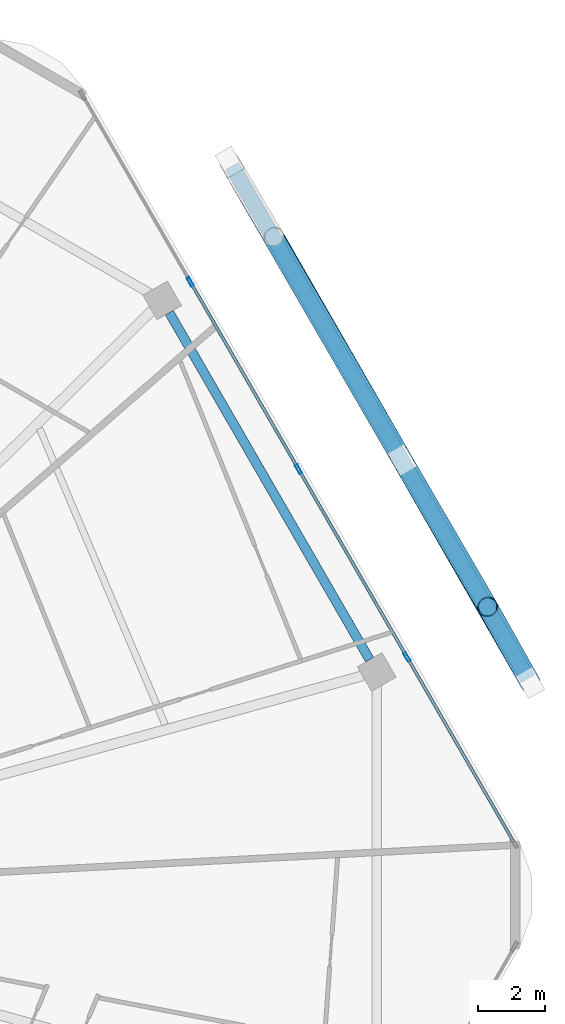
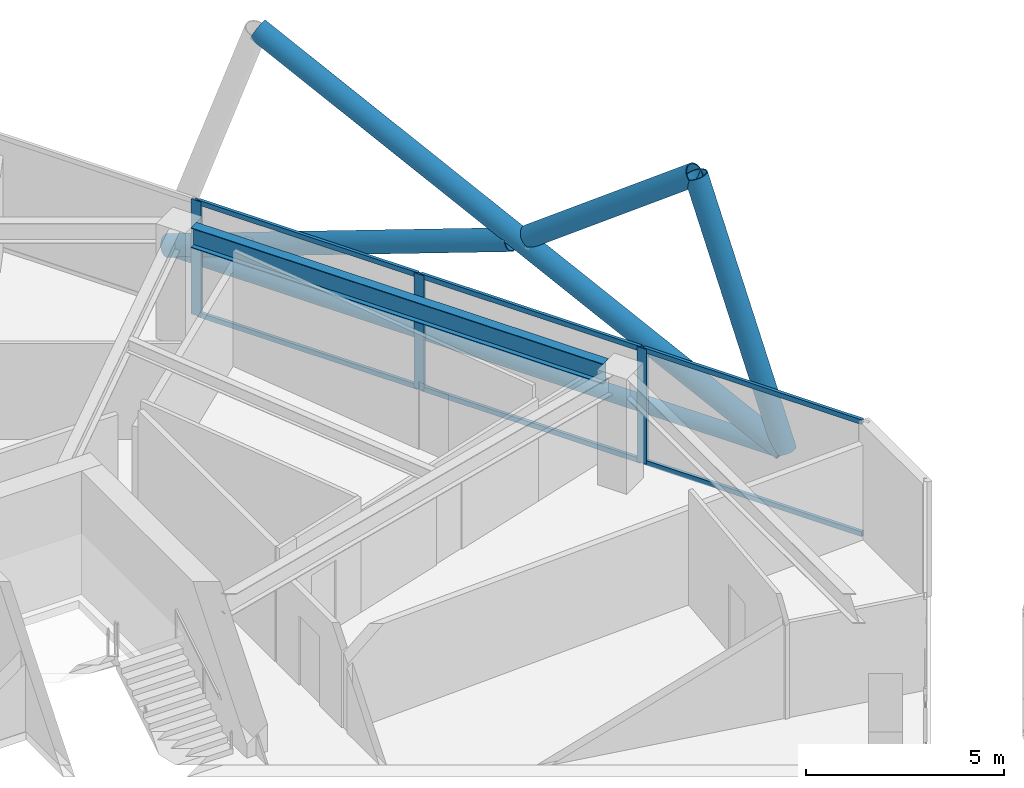
# One storey, part 17 of 27: 14 members, 1 beam, 1 element without a shape of its own.
"""IFC4 building model written with IfcOpenShell, lengths in metres."""

from ifc_helpers import new_model, si_unit, direction, frame, origin, origin_2d, place, context, subcontext, project, spatial, hollow_rectangle, hollow_circle, i_section, extrude, material, material_profile, profile_set, type_object, element, aggregate, save


model = new_model("IFC4")

# Units and contexts
model_context = context("Model", 3, precision=1e-05, world=origin(), true_north=direction((0.0, 1.0)))
body_context = subcontext(model_context, "Body", "Model", "MODEL_VIEW")
ifc_project = project(units=[si_unit("LENGTHUNIT", "METRE"), si_unit("AREAUNIT", "SQUARE_METRE"), si_unit("VOLUMEUNIT", "CUBIC_METRE"), si_unit("PLANEANGLEUNIT", "RADIAN"), si_unit("MASSUNIT", "GRAM", prefix="KILO")], contexts=[model_context])

# Site, building, storey
site_placement = place(None, origin())
site = spatial("IfcSite", under=ifc_project, at=site_placement, CompositionType="ELEMENT")
building_placement = place(site_placement, origin())
building = spatial("IfcBuilding", under=site, at=building_placement, Name="Zuhravey Tower", CompositionType="ELEMENT")
storey_placement = place(building_placement, frame((0.0, 0.0, 276.800048828125)))
storey = spatial("IfcBuildingStorey", under=building, at=storey_placement, Name="L70", CompositionType="ELEMENT", Elevation=276.800048828125)

# Curtain wall, members
ifc_material_1 = material(Name="Thermally broken anodised aluminium", Category="aluminium")
curtain_wall_type = type_object("IfcCurtainWallType", Name="Zone 3-4 High-Rise Curtain Wall CW4", PredefinedType="NOTDEFINED", material=ifc_material_1)
curtain_wall_placement = place(storey_placement, origin())
curtain_wall = element("IfcCurtainWall", 1, at=curtain_wall_placement, inside=storey, type_object=curtain_wall_type, Name="L70 CW4 CW-L70-F1-1", PredefinedType="NOTDEFINED")
ifc_material_2 = material(Name="Anodised aluminium", Category="aluminium")
ifc_material_profile_1 = material_profile(ifc_material_2, hollow_rectangle(XDim=0.090087890625, YDim=0.284912109375, WallThickness=0.0048828125, at=origin_2d()), Name="ALU-RHS-90x285x5")
ifc_profile_set_1 = profile_set([ifc_material_profile_1], Name="Anodised aluminium")
member_type_1 = type_object("IfcMemberType", Name="Curtain-Wall Mullion 90x180", PredefinedType="MULLION", material=ifc_profile_set_1)
member_1_placement = place(storey_placement, frame((54.885498046875, 50.41650390625, 0.0), z_axis=(0.0, 0.0, 1.0), x_axis=(0.866024851021, 0.500000957414, 0.0)))
member_1 = element("IfcMember", 2, at=member_1_placement, type_object=member_type_1, Name="CW4 mullion 2", PredefinedType="MULLION", context=body_context, shape_type="SweptSolid", body=[
    extrude(hollow_rectangle(XDim=0.090087890625, YDim=0.284912109375, WallThickness=0.0048828125, at=origin_2d()), origin(), (0.0, 0.0, 1.0), 3.550048828125),
])
member_2_placement = place(storey_placement, frame((58.138671875, 44.78173828125, 0.0), z_axis=(0.0, 0.0, 1.0), x_axis=(0.866024851021, 0.500000957414, 0.0)))
member_2 = element("IfcMember", 3, at=member_2_placement, type_object=member_type_1, Name="CW4 mullion 3", PredefinedType="MULLION", context=body_context, shape_type="SweptSolid", body=[
    extrude(hollow_rectangle(XDim=0.090087890625, YDim=0.284912109375, WallThickness=0.0048828125, at=origin_2d()), origin(), (0.0, 0.0, 1.0), 3.550048828125),
])
member_3_placement = place(storey_placement, frame((61.391845703125, 39.147216796875, 0.0), z_axis=(0.0, 0.0, 1.0), x_axis=(0.866024851021, 0.500000957414, 0.0)))
member_3 = element("IfcMember", 4, at=member_3_placement, type_object=member_type_1, Name="CW4 mullion 4", PredefinedType="MULLION", context=body_context, shape_type="SweptSolid", body=[
    extrude(hollow_rectangle(XDim=0.090087890625, YDim=0.284912109375, WallThickness=0.0048828125, at=origin_2d()), origin(), (0.0, 0.0, 1.0), 3.550048828125),
])
ifc_material_profile_2 = material_profile(ifc_material_2, hollow_rectangle(XDim=0.090087890625, YDim=0.14990234375, WallThickness=0.0048828125, at=origin_2d()), Name="ALU-RHS-90x150x5")
ifc_profile_set_2 = profile_set([ifc_material_profile_2], Name="Anodised aluminium")
member_type_2 = type_object("IfcMemberType", Name="Curtain-Wall Transom 90x150", PredefinedType="USERDEFINED", material=ifc_profile_set_2)
member_4_placement = place(storey_placement, frame((54.907958984375, 50.37744140625, 0.044921875), z_axis=(0.500014493347, -0.866017035885, 0.0), x_axis=(0.866017035885, 0.500014493347, 0.0)))
member_4 = element("IfcMember", 5, at=member_4_placement, type_object=member_type_2, Name="CW4 transom 2.1", ObjectType="TRANSOM", PredefinedType="USERDEFINED", context=body_context, shape_type="SweptSolid", body=[
    extrude(hollow_rectangle(XDim=0.090087890625, YDim=0.14990234375, WallThickness=0.0048828125, at=origin_2d()), origin(), (0.0, 0.0, 1.0), 6.416259765625),
])
member_5_placement = place(storey_placement, frame((54.907958984375, 50.37744140625, 3.5048828125), z_axis=(0.500014493347, -0.866017035885, 0.0), x_axis=(0.866017035885, 0.500014493347, 0.0)))
member_5 = element("IfcMember", 6, at=member_5_placement, type_object=member_type_2, Name="CW4 transom 2.2", ObjectType="TRANSOM", PredefinedType="USERDEFINED", context=body_context, shape_type="SweptSolid", body=[
    extrude(hollow_rectangle(XDim=0.090087890625, YDim=0.14990234375, WallThickness=0.0048828125, at=origin_2d()), origin(), (0.0, 0.0, 1.0), 6.416259765625),
])
member_6_placement = place(storey_placement, frame((58.1611328125, 44.742919921875, 0.044921875), z_axis=(0.499998017366, -0.866026548456, 0.0), x_axis=(0.866026548456, 0.499998017366, 0.0)))
member_6 = element("IfcMember", 7, at=member_6_placement, type_object=member_type_2, Name="CW4 transom 3.1", ObjectType="TRANSOM", PredefinedType="USERDEFINED", context=body_context, shape_type="SweptSolid", body=[
    extrude(hollow_rectangle(XDim=0.090087890625, YDim=0.14990234375, WallThickness=0.0048828125, at=origin_2d()), origin(), (0.0, 0.0, 1.0), 6.41650390625),
])
member_7_placement = place(storey_placement, frame((58.1611328125, 44.742919921875, 3.5048828125), z_axis=(0.499998017366, -0.866026548456, 0.0), x_axis=(0.866026548456, 0.499998017366, 0.0)))
member_7 = element("IfcMember", 8, at=member_7_placement, type_object=member_type_2, Name="CW4 transom 3.2", ObjectType="TRANSOM", PredefinedType="USERDEFINED", context=body_context, shape_type="SweptSolid", body=[
    extrude(hollow_rectangle(XDim=0.090087890625, YDim=0.14990234375, WallThickness=0.0048828125, at=origin_2d()), origin(), (0.0, 0.0, 1.0), 6.41650390625),
])
member_8_placement = place(storey_placement, frame((61.414306640625, 39.108154296875, 0.044921875), z_axis=(0.500008810174, -0.866020317169, 0.0), x_axis=(0.866020317169, 0.500008810174, 0.0)))
member_8 = element("IfcMember", 9, at=member_8_placement, type_object=member_type_2, Name="CW4 transom 4.1", ObjectType="TRANSOM", PredefinedType="USERDEFINED", context=body_context, shape_type="SweptSolid", body=[
    extrude(hollow_rectangle(XDim=0.090087890625, YDim=0.14990234375, WallThickness=0.0048828125, at=origin_2d()), origin(), (0.0, 0.0, 1.0), 6.37158203125),
])
member_9_placement = place(storey_placement, frame((61.414306640625, 39.108154296875, 3.5048828125), z_axis=(0.500008810174, -0.866020317169, 0.0), x_axis=(0.866020317169, 0.500008810174, 0.0)))
member_9 = element("IfcMember", 10, at=member_9_placement, type_object=member_type_2, Name="CW4 transom 4.2", ObjectType="TRANSOM", PredefinedType="USERDEFINED", context=body_context, shape_type="SweptSolid", body=[
    extrude(hollow_rectangle(XDim=0.090087890625, YDim=0.14990234375, WallThickness=0.0048828125, at=origin_2d()), origin(), (0.0, 0.0, 1.0), 6.37158203125),
])
aggregate(curtain_wall, [member_1, member_2, member_3, member_4, member_5, member_6, member_7, member_8, member_9])

# Members
ifc_material_3 = material(Name="Steel SM355", Category="steel")
ifc_material_profile_3 = material_profile(ifc_material_3, hollow_circle(Radius=0.228515625, WallThickness=0.02197265625, at=origin_2d()), Name="CHS-457.2x22")
ifc_profile_set_3 = profile_set([ifc_material_profile_3], Name="Steel SM355")
member_type_3 = type_object("IfcMemberType", Name="Exoskeleton Ring Tie CHS457x22", PredefinedType="CHORD", material=ifc_profile_set_3)
member_10_placement = place(storey_placement, frame((65.025390625, 38.49365234375, -0.464111328125), z_axis=(-0.499995467921, 0.866028020366, 0.0), x_axis=(-0.866028020366, -0.499995467921, 0.0)))
element("IfcMember", 11, at=member_10_placement, inside=storey, type_object=member_type_3, Name="L70 Exoskeleton Face 1 Tie EXR1", PredefinedType="CHORD", context=body_context, shape_type="SweptSolid", body=[
    extrude(hollow_circle(Radius=0.228515625, WallThickness=0.02197265625, at=origin_2d()), origin(), (0.0, 0.0, 1.0), 17.778076171875),
])
ifc_material_profile_4 = material_profile(ifc_material_3, hollow_circle(Radius=0.3046875, WallThickness=0.028076171875, at=origin_2d()), Name="CHS-609.6x28")
ifc_profile_set_4 = profile_set([ifc_material_profile_4], Name="Steel SM355")
member_type_4 = type_object("IfcMemberType", Name="Exoskeleton Zone 3 Diagrid CHS610x28", PredefinedType="BRACE", material=ifc_profile_set_4)
member_11_placement = place(storey_placement, frame((65.09228515625, 38.3779296875, -0.446044921875), z_axis=(-0.159795415744, 0.28422652237, 0.945346872364), x_axis=(-0.871682978645, -0.490070183485, 0.0)))
element("IfcMember", 12, at=member_11_placement, inside=storey, type_object=member_type_4, Name="L70 Face 1 Diagrid Brace 1", PredefinedType="BRACE", context=body_context, shape_type="SweptSolid", body=[
    extrude(hollow_circle(Radius=0.3046875, WallThickness=0.028076171875, at=origin_2d()), origin(), (0.0, 0.0, 1.0), 8.001220703125),
])
member_12_placement = place(storey_placement, frame((65.0771484375, 38.404296875, -0.446044921875), z_axis=(-0.447064853147, 0.777836957805, 0.441704294923), x_axis=(-0.866998477081, -0.4983107873, 0.0)))
element("IfcMember", 13, at=member_12_placement, inside=storey, type_object=member_type_4, Name="L70 Face 1 Diagrid Brace 2", PredefinedType="BRACE", context=body_context, shape_type="SweptSolid", body=[
    extrude(hollow_circle(Radius=0.3046875, WallThickness=0.028076171875, at=origin_2d()), origin(), (0.0, 0.0, 1.0), 17.12451171875),
])
member_13_placement = place(storey_placement, frame((56.08544921875, 53.97802734375, -0.449951171875), z_axis=(0.470515853695, -0.812173044063, 0.344948949729), x_axis=(0.865282852905, 0.501283935977, 0.0)))
element("IfcMember", 14, at=member_13_placement, inside=storey, type_object=member_type_4, Name="L70 Face 1 Split Diagrid Brace 3A", PredefinedType="BRACE", context=body_context, shape_type="SweptSolid", body=[
    extrude(hollow_circle(Radius=0.3046875, WallThickness=0.028076171875, at=origin_2d()), origin(), (0.0, 0.0, 1.0), 10.68017578125),
])
member_14_placement = place(storey_placement, frame((61.3681640625, 44.85986328125, 3.51220703125), z_axis=(0.402863606544, -0.693142707164, 0.597707371569), x_axis=(0.864575653056, 0.502502676751, 0.0)))
element("IfcMember", 15, at=member_14_placement, inside=storey, type_object=member_type_4, Name="L70 Face 1 Split Diagrid Brace 3B", PredefinedType="BRACE", context=body_context, shape_type="SweptSolid", body=[
    extrude(hollow_circle(Radius=0.3046875, WallThickness=0.028076171875, at=origin_2d()), origin(), (0.0, 0.0, 1.0), 6.02197265625),
])

# Beam
ifc_material_profile_5 = material_profile(ifc_material_3, i_section(OverallWidth=0.280029296875, OverallDepth=0.6201171875, WebThickness=0.011962890625, FlangeThickness=0.02001953125, at=origin_2d()), Name="H-620x280x12x20")
ifc_profile_set_5 = profile_set([ifc_material_profile_5], Name="Steel SM355")
beam_type = type_object("IfcBeamType", Name="Perimeter Ring Beam H620x280", PredefinedType="BEAM", material=ifc_profile_set_5)
beam_placement = place(storey_placement, frame((60.2705078125, 39.069580078125, 3.239990234375), z_axis=(-0.500005971936, 0.866021955858, 0.0), x_axis=(-0.866021955858, -0.500005971936, 0.0)))
element("IfcBeam", 16, at=beam_placement, inside=storey, type_object=beam_type, Name="L70 PB3 BM-L70-PB-01", PredefinedType="BEAM", context=body_context, shape_type="SweptSolid", body=[
    extrude(i_section(OverallWidth=0.280029296875, OverallDepth=0.6201171875, WebThickness=0.011962890625, FlangeThickness=0.02001953125, at=origin_2d()), origin(), (0.0, 0.0, 1.0), 12.025634765625),
])

save(model, "model.ifc")
